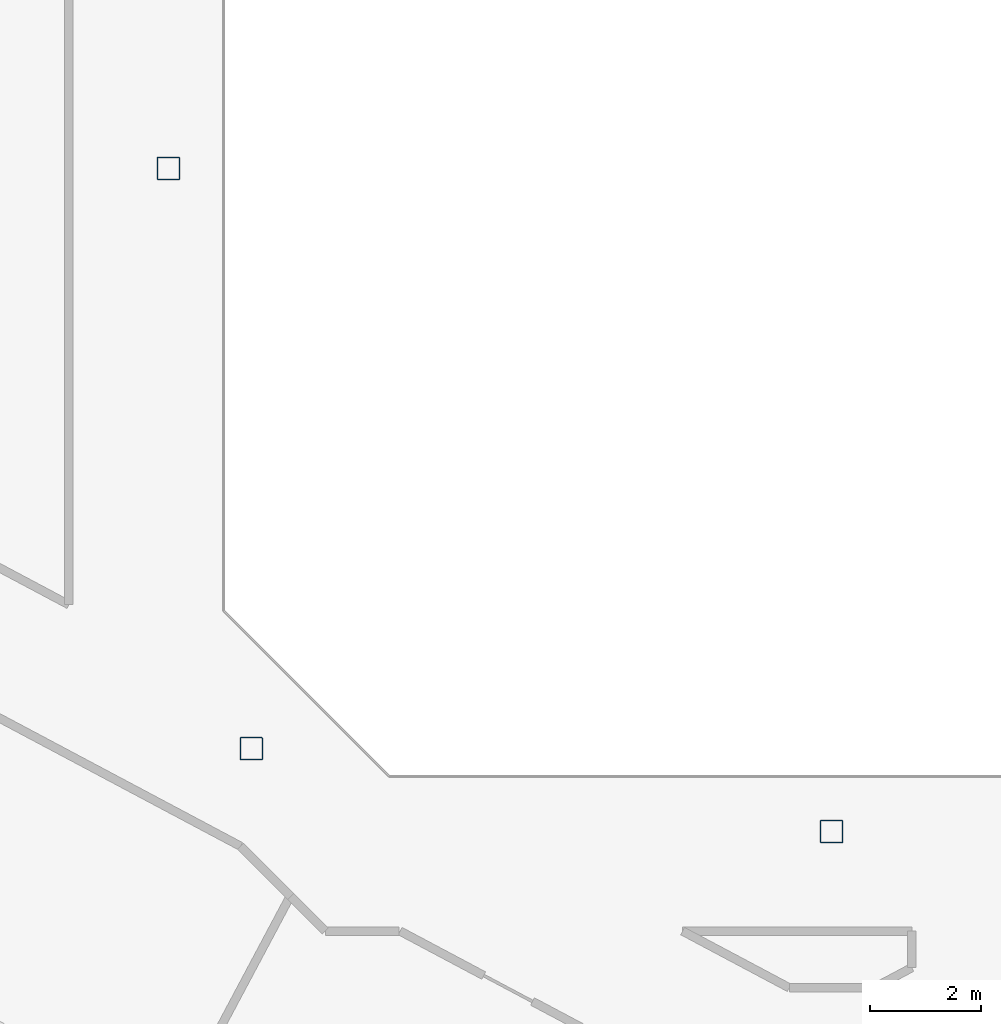
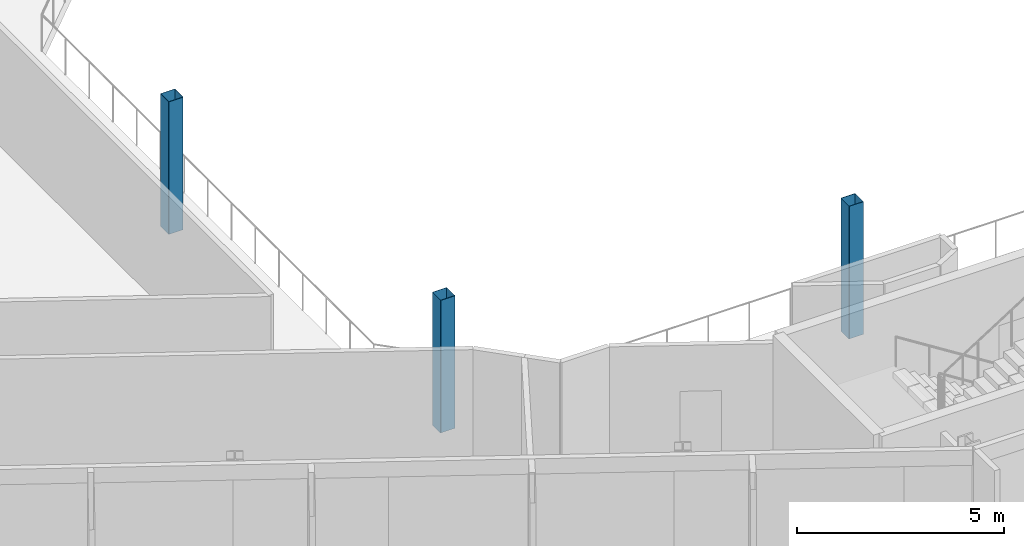
# One storey, part 2 of 26: 3 columns.
"""IFC4 building model written with IfcOpenShell, lengths in metres."""

from ifc_helpers import new_model, si_unit, direction, frame, origin, origin_2d, place, context, subcontext, project, spatial, hollow_rectangle, extrude, material, material_profile, profile_set, type_object, element, save


model = new_model("IFC4")

# Units and contexts
model_context = context("Model", 3, precision=1e-05, world=origin(), true_north=direction((0.0, 1.0)))
body_context = subcontext(model_context, "Body", "Model", "MODEL_VIEW")
ifc_project = project(units=[si_unit("LENGTHUNIT", "METRE"), si_unit("AREAUNIT", "SQUARE_METRE"), si_unit("VOLUMEUNIT", "CUBIC_METRE"), si_unit("PLANEANGLEUNIT", "RADIAN"), si_unit("MASSUNIT", "GRAM", prefix="KILO")], contexts=[model_context])

# Site, building, storey
site_placement = place(None, origin())
site = spatial("IfcSite", under=ifc_project, at=site_placement, CompositionType="ELEMENT")
building_placement = place(site_placement, origin())
building = spatial("IfcBuilding", under=site, at=building_placement, Name="Cormorant Relay Tower", CompositionType="ELEMENT")
storey_placement = place(building_placement, frame((0.0, 0.0, 316.5)))
storey = spatial("IfcBuildingStorey", under=building, at=storey_placement, Name="L72", CompositionType="ELEMENT", Elevation=316.5)

# Columns
ifc_material = material(Name="Steel ASTM A500 Grade C (Fy 345 MPa)", Category="steel")
ifc_material_profile = material_profile(ifc_material, hollow_rectangle(XDim=0.406494140625, YDim=0.406494140625, WallThickness=0.0087890625, InnerFilletRadius=0.00439453125, OuterFilletRadius=0.01318359375, at=origin_2d()), Name="HSS406x406x9")
ifc_profile_set = profile_set([ifc_material_profile], Name="Steel ASTM A500 Grade C (Fy 345 MPa)")
column_type = type_object("IfcColumnType", Name="Column HSS406x406x9", PredefinedType="COLUMN", material=ifc_profile_set)
for number, where, z_axis, x_axis, name in (
    (1, (0.0, -12.0, 0.0), (0.0, 0.0, 1.0), (1.0, 0.0, 0.0), "Column L72-007"),
    (2, (-10.5, -10.5, 0.0), (0.0, 0.0, 1.0), (1.0, 0.0, 0.0), "Column L72-009"),
    (3, (-12.0, 0.0, 0.0), (0.0, 0.0, 1.0), (1.0, 0.0, 0.0), "Column L72-015"),
):
    element("IfcColumn", number, at=place(storey_placement, frame(where, z_axis=z_axis, x_axis=x_axis)), inside=storey, type_object=column_type, Name=name, PredefinedType="COLUMN", context=body_context, shape_type="SweptSolid", body=[
        extrude(hollow_rectangle(XDim=0.406494140625, YDim=0.406494140625, WallThickness=0.0087890625, InnerFilletRadius=0.00439453125, OuterFilletRadius=0.01318359375, at=origin_2d()), origin(), (0.0, 0.0, 1.0), 3.89990234375),
    ])

save(model, "model.ifc")
